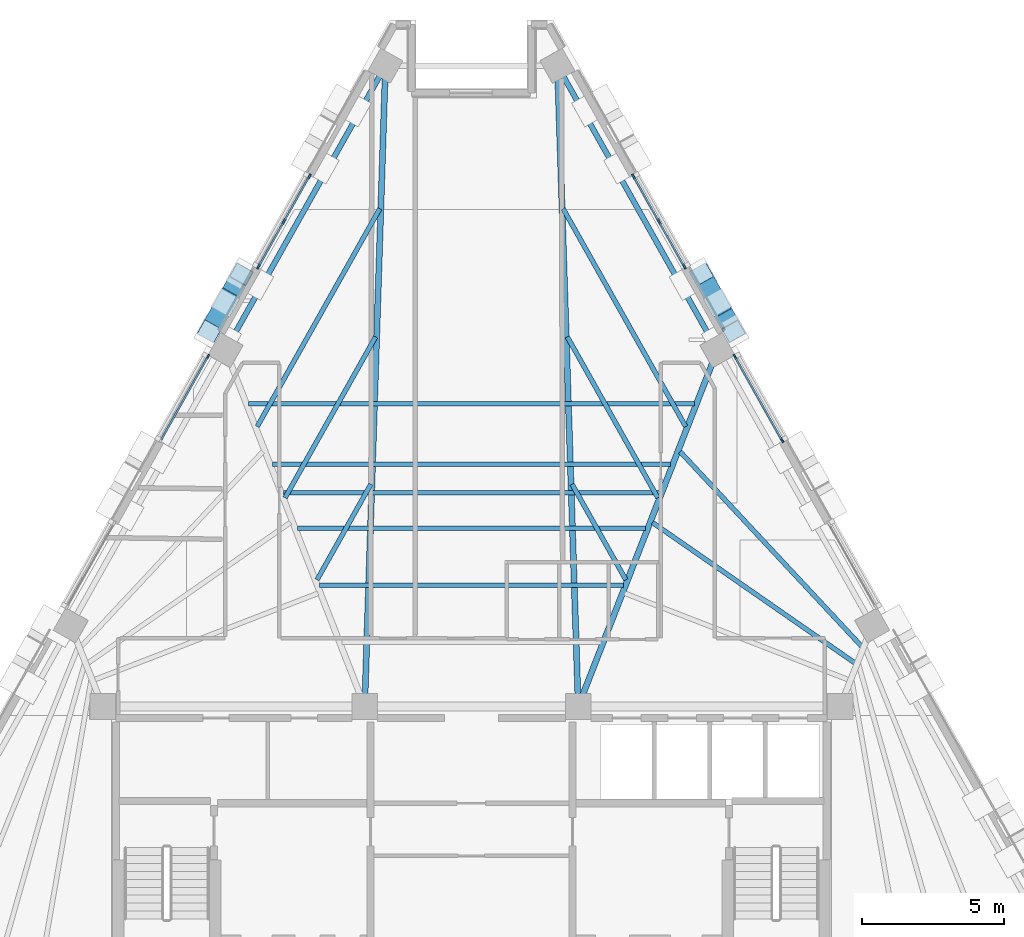
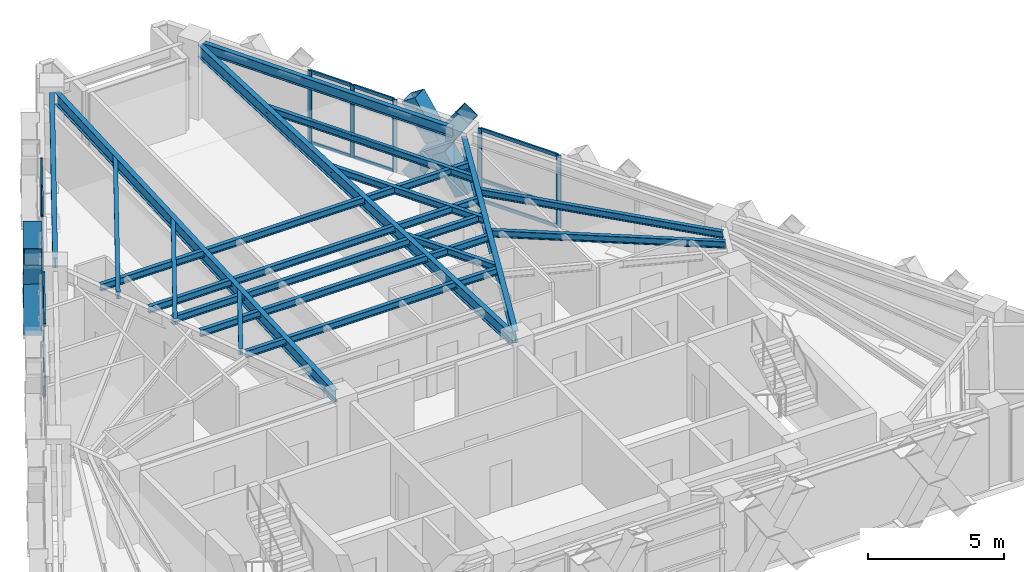
# One storey, part 4 of 12: 33 members, 18 beams, 4 elements without a shape of their own.
"""IFC4 building model written with IfcOpenShell, lengths in metres."""

from ifc_helpers import new_model, si_unit, direction, frame, origin, origin_2d, place, context, subcontext, project, spatial, rectangle, hollow_rectangle, i_section, extrude, material, material_profile, profile_set, type_object, element, aggregate, save


model = new_model("IFC4")

# Units and contexts
model_context = context("Model", 3, precision=1e-05, world=origin(), true_north=direction((0.0, 1.0)))
body_context = subcontext(model_context, "Body", "Model", "MODEL_VIEW")
ifc_project = project(units=[si_unit("LENGTHUNIT", "METRE"), si_unit("AREAUNIT", "SQUARE_METRE"), si_unit("VOLUMEUNIT", "CUBIC_METRE"), si_unit("PLANEANGLEUNIT", "RADIAN"), si_unit("MASSUNIT", "GRAM", prefix="KILO")], contexts=[model_context])

# Site, building, storey
site_placement = place(None, origin())
site = spatial("IfcSite", under=ifc_project, at=site_placement, CompositionType="ELEMENT")
building_placement = place(site_placement, origin())
building = spatial("IfcBuilding", under=site, at=building_placement, Name="Quenlor Broadcast Tower", CompositionType="ELEMENT")
storey_placement = place(building_placement, frame((0.0, 0.0, 204.39990234375)))
storey = spatial("IfcBuildingStorey", under=building, at=storey_placement, Name="L56", CompositionType="ELEMENT", Elevation=204.39990234375)

# Curtain wall, members
ifc_material_1 = material(Name="Architectural Terracotta and Low-E Glazing", Category="masonry")
curtain_wall_type = type_object("IfcCurtainWallType", Name="Unitised Terracotta Curtain Wall System Z4", PredefinedType="NOTDEFINED", material=ifc_material_1)
curtain_wall_1_placement = place(storey_placement, origin())
curtain_wall_1 = element("IfcCurtainWall", 1, at=curtain_wall_1_placement, inside=storey, type_object=curtain_wall_type, Name="L56 Curtain Wall CW4 (L56-NEA-G1)", PredefinedType="NOTDEFINED")
ifc_material_2 = material(Name="Aluminium 6063-T6", Category="aluminium")
ifc_material_profile_1 = material_profile(ifc_material_2, rectangle(XDim=0.068115234375, YDim=0.179931640625, at=origin_2d()))
ifc_profile_set_1 = profile_set([ifc_material_profile_1], Name="Aluminium 6063-T6 MULL68x180")
member_type_1 = type_object("IfcMemberType", Name="CW4 Aluminium Mullion MULL_CW4", PredefinedType="MULLION", material=ifc_profile_set_1)
member_1_placement = place(storey_placement, frame((5.693115234375, 13.820068359375, 0.0), z_axis=(0.0, 0.0, 1.0), x_axis=(0.871576257465, 0.490259959025, 0.0)))
member_1 = element("IfcMember", 2, at=member_1_placement, type_object=member_type_1, Name="CW4 mullion 1", PredefinedType="MULLION", context=body_context, shape_type="SweptSolid", body=[
    extrude(rectangle(XDim=0.068115234375, YDim=0.179931640625, at=origin_2d()), origin(), (0.0, 0.0, 1.0), 3.25),
])
member_2_placement = place(storey_placement, frame((6.585205078125, 12.23388671875, 0.0), z_axis=(0.0, 0.0, 1.0), x_axis=(0.871576257465, 0.490259959025, 0.0)))
member_2 = element("IfcMember", 3, at=member_2_placement, type_object=member_type_1, Name="CW4 mullion 2", PredefinedType="MULLION", context=body_context, shape_type="SweptSolid", body=[
    extrude(rectangle(XDim=0.068115234375, YDim=0.179931640625, at=origin_2d()), origin(), (0.0, 0.0, 1.0), 3.25),
])
member_3_placement = place(storey_placement, frame((7.477294921875, 10.64794921875, 0.0), z_axis=(0.0, 0.0, 1.0), x_axis=(0.871576257465, 0.490259959025, 0.0)))
member_3 = element("IfcMember", 4, at=member_3_placement, type_object=member_type_1, Name="CW4 mullion 3", PredefinedType="MULLION", context=body_context, shape_type="SweptSolid", body=[
    extrude(rectangle(XDim=0.068115234375, YDim=0.179931640625, at=origin_2d()), origin(), (0.0, 0.0, 1.0), 3.25),
])

curtain_wall_2_placement = place(storey_placement, origin())
curtain_wall_2 = element("IfcCurtainWall", 5, at=curtain_wall_2_placement, inside=storey, type_object=curtain_wall_type, Name="L56 Curtain Wall CW4 (L56-NE-G1)", PredefinedType="NOTDEFINED")
member_4_placement = place(storey_placement, frame((9.257080078125, 7.484130859375, 0.0), z_axis=(0.0, 0.0, 1.0), x_axis=(0.871577871382, 0.490257089819, 0.0)))
member_4 = element("IfcMember", 6, at=member_4_placement, type_object=member_type_1, Name="CW4 mullion 1", PredefinedType="MULLION", context=body_context, shape_type="SweptSolid", body=[
    extrude(rectangle(XDim=0.068115234375, YDim=0.179931640625, at=origin_2d()), origin(), (0.0, 0.0, 1.0), 3.25),
])
member_5_placement = place(storey_placement, frame((10.906494140625, 4.5517578125, 0.0), z_axis=(0.0, 0.0, 1.0), x_axis=(0.871577871382, 0.490257089819, 0.0)))
member_5 = element("IfcMember", 7, at=member_5_placement, type_object=member_type_1, Name="CW4 mullion 2", PredefinedType="MULLION", context=body_context, shape_type="SweptSolid", body=[
    extrude(rectangle(XDim=0.068115234375, YDim=0.179931640625, at=origin_2d()), origin(), (0.0, 0.0, 1.0), 3.25),
])

curtain_wall_3_placement = place(storey_placement, origin())
curtain_wall_3 = element("IfcCurtainWall", 8, at=curtain_wall_3_placement, inside=storey, type_object=curtain_wall_type, Name="L56 Curtain Wall CW4 (L56-NWC-G1)", PredefinedType="NOTDEFINED")
member_6_placement = place(storey_placement, frame((-7.477294921875, 10.64794921875, 0.0), z_axis=(0.0, 0.0, 1.0), x_axis=(-0.871576257465, 0.490259959025, 0.0)))
member_6 = element("IfcMember", 9, at=member_6_placement, type_object=member_type_1, Name="CW4 mullion 1", PredefinedType="MULLION", context=body_context, shape_type="SweptSolid", body=[
    extrude(rectangle(XDim=0.068115234375, YDim=0.179931640625, at=origin_2d()), origin(), (0.0, 0.0, 1.0), 3.25),
])
member_7_placement = place(storey_placement, frame((-6.585205078125, 12.23388671875, 0.0), z_axis=(0.0, 0.0, 1.0), x_axis=(-0.871576257465, 0.490259959025, 0.0)))
member_7 = element("IfcMember", 10, at=member_7_placement, type_object=member_type_1, Name="CW4 mullion 2", PredefinedType="MULLION", context=body_context, shape_type="SweptSolid", body=[
    extrude(rectangle(XDim=0.068115234375, YDim=0.179931640625, at=origin_2d()), origin(), (0.0, 0.0, 1.0), 3.25),
])
member_8_placement = place(storey_placement, frame((-5.693115234375, 13.820068359375, 0.0), z_axis=(0.0, 0.0, 1.0), x_axis=(-0.871576257465, 0.490259959025, 0.0)))
member_8 = element("IfcMember", 11, at=member_8_placement, type_object=member_type_1, Name="CW4 mullion 3", PredefinedType="MULLION", context=body_context, shape_type="SweptSolid", body=[
    extrude(rectangle(XDim=0.068115234375, YDim=0.179931640625, at=origin_2d()), origin(), (0.0, 0.0, 1.0), 3.25),
])

# Curtain wall, member
curtain_wall_4_placement = place(storey_placement, origin())
curtain_wall_4 = element("IfcCurtainWall", 12, at=curtain_wall_4_placement, inside=storey, type_object=curtain_wall_type, Name="L56 Curtain Wall CW4 (L56-NW-G2)", PredefinedType="NOTDEFINED")
member_9_placement = place(storey_placement, frame((-9.257080078125, 7.484130859375, 0.0), z_axis=(0.0, 0.0, 1.0), x_axis=(-0.871577871382, 0.490257089819, 0.0)))
member_9 = element("IfcMember", 13, at=member_9_placement, type_object=member_type_1, Name="CW4 mullion 2", PredefinedType="MULLION", context=body_context, shape_type="SweptSolid", body=[
    extrude(rectangle(XDim=0.068115234375, YDim=0.179931640625, at=origin_2d()), origin(), (0.0, 0.0, 1.0), 3.25),
])

# Member
ifc_material_3 = material(Name="Aluminium 6063-T6", Category="aluminium")
ifc_material_profile_2 = material_profile(ifc_material_3, rectangle(XDim=0.068115234375, YDim=0.14990234375, at=origin_2d()))
ifc_profile_set_2 = profile_set([ifc_material_profile_2], Name="Aluminium 6063-T6 TRAN68x150")
member_type_2 = type_object("IfcMemberType", Name="CW4 Aluminium Transom TRAN_CW4", PredefinedType="USERDEFINED", material=ifc_profile_set_2)
member_10_placement = place(storey_placement, frame((5.709716796875, 13.790283203125, 0.0341796875), z_axis=(0.490334029137, -0.871534589027, 0.0), x_axis=(0.871534589027, 0.490334029137, 0.0)))
member_10 = element("IfcMember", 14, at=member_10_placement, type_object=member_type_2, Name="CW4 transom 1.1", ObjectType="TRANSOM", PredefinedType="USERDEFINED", context=body_context, shape_type="SweptSolid", body=[
    extrude(rectangle(XDim=0.068115234375, YDim=0.14990234375, at=origin_2d()), origin(), (0.0, 0.0, 1.0), 1.751708984375),
])

member_11_placement = place(storey_placement, frame((5.709716796875, 13.790283203125, 0.9501953125), z_axis=(0.490334029137, -0.871534589027, 0.0), x_axis=(0.871534589027, 0.490334029137, 0.0)))
member_11 = element("IfcMember", 15, at=member_11_placement, type_object=member_type_2, Name="CW4 transom 1.2", ObjectType="TRANSOM", PredefinedType="USERDEFINED", context=body_context, shape_type="SweptSolid", body=[
    extrude(rectangle(XDim=0.068115234375, YDim=0.14990234375, at=origin_2d()), origin(), (0.0, 0.0, 1.0), 1.751708984375),
])

member_12_placement = place(storey_placement, frame((5.709716796875, 13.790283203125, 3.216064453125), z_axis=(0.490334029137, -0.871534589027, 0.0), x_axis=(0.871534589027, 0.490334029137, 0.0)))
member_12 = element("IfcMember", 16, at=member_12_placement, type_object=member_type_2, Name="CW4 transom 1.3", ObjectType="TRANSOM", PredefinedType="USERDEFINED", context=body_context, shape_type="SweptSolid", body=[
    extrude(rectangle(XDim=0.068115234375, YDim=0.14990234375, at=origin_2d()), origin(), (0.0, 0.0, 1.0), 1.751708984375),
])

member_13_placement = place(storey_placement, frame((6.601806640625, 12.204345703125, 0.0341796875), z_axis=(0.490274472735, -0.871568093372, 0.0), x_axis=(0.871568093372, 0.490274472735, 0.0)))
member_13 = element("IfcMember", 17, at=member_13_placement, type_object=member_type_2, Name="CW4 transom 2.1", ObjectType="TRANSOM", PredefinedType="USERDEFINED", context=body_context, shape_type="SweptSolid", body=[
    extrude(rectangle(XDim=0.068115234375, YDim=0.14990234375, at=origin_2d()), origin(), (0.0, 0.0, 1.0), 1.751953125),
])

member_14_placement = place(storey_placement, frame((6.601806640625, 12.204345703125, 0.9501953125), z_axis=(0.490274472735, -0.871568093372, 0.0), x_axis=(0.871568093372, 0.490274472735, 0.0)))
member_14 = element("IfcMember", 18, at=member_14_placement, type_object=member_type_2, Name="CW4 transom 2.2", ObjectType="TRANSOM", PredefinedType="USERDEFINED", context=body_context, shape_type="SweptSolid", body=[
    extrude(rectangle(XDim=0.068115234375, YDim=0.14990234375, at=origin_2d()), origin(), (0.0, 0.0, 1.0), 1.751953125),
])

member_15_placement = place(storey_placement, frame((6.601806640625, 12.204345703125, 3.216064453125), z_axis=(0.490274472735, -0.871568093372, 0.0), x_axis=(0.871568093372, 0.490274472735, 0.0)))
member_15 = element("IfcMember", 19, at=member_15_placement, type_object=member_type_2, Name="CW4 transom 2.3", ObjectType="TRANSOM", PredefinedType="USERDEFINED", context=body_context, shape_type="SweptSolid", body=[
    extrude(rectangle(XDim=0.068115234375, YDim=0.14990234375, at=origin_2d()), origin(), (0.0, 0.0, 1.0), 1.751953125),
])

aggregate(curtain_wall_1, [member_1, member_2, member_3, member_10, member_11, member_12, member_13, member_14, member_15])

member_16_placement = place(storey_placement, frame((9.273681640625, 7.454345703125, 0.0341796875), z_axis=(0.490264756272, -0.871573559005, 0.0), x_axis=(0.871573559005, 0.490264756272, 0.0)))
member_16 = element("IfcMember", 20, at=member_16_placement, type_object=member_type_2, Name="CW4 transom 1.1", ObjectType="TRANSOM", PredefinedType="USERDEFINED", context=body_context, shape_type="SweptSolid", body=[
    extrude(rectangle(XDim=0.068115234375, YDim=0.14990234375, at=origin_2d()), origin(), (0.0, 0.0, 1.0), 3.296142578125),
])

member_17_placement = place(storey_placement, frame((9.273681640625, 7.454345703125, 0.9501953125), z_axis=(0.490264756272, -0.871573559005, 0.0), x_axis=(0.871573559005, 0.490264756272, 0.0)))
member_17 = element("IfcMember", 21, at=member_17_placement, type_object=member_type_2, Name="CW4 transom 1.2", ObjectType="TRANSOM", PredefinedType="USERDEFINED", context=body_context, shape_type="SweptSolid", body=[
    extrude(rectangle(XDim=0.068115234375, YDim=0.14990234375, at=origin_2d()), origin(), (0.0, 0.0, 1.0), 3.296142578125),
])

member_18_placement = place(storey_placement, frame((9.273681640625, 7.454345703125, 3.216064453125), z_axis=(0.490264756272, -0.871573559005, 0.0), x_axis=(0.871573559005, 0.490264756272, 0.0)))
member_18 = element("IfcMember", 22, at=member_18_placement, type_object=member_type_2, Name="CW4 transom 1.3", ObjectType="TRANSOM", PredefinedType="USERDEFINED", context=body_context, shape_type="SweptSolid", body=[
    extrude(rectangle(XDim=0.068115234375, YDim=0.14990234375, at=origin_2d()), origin(), (0.0, 0.0, 1.0), 3.296142578125),
])

aggregate(curtain_wall_2, [member_4, member_5, member_16, member_17, member_18])

member_19_placement = place(storey_placement, frame((-7.460693359375, 10.677490234375, 0.0341796875), z_axis=(0.490274472735, 0.871568093372, 0.0), x_axis=(-0.871568093372, 0.490274472735, 0.0)))
member_19 = element("IfcMember", 23, at=member_19_placement, type_object=member_type_2, Name="CW4 transom 1.1", ObjectType="TRANSOM", PredefinedType="USERDEFINED", context=body_context, shape_type="SweptSolid", body=[
    extrude(rectangle(XDim=0.068115234375, YDim=0.14990234375, at=origin_2d()), origin(), (0.0, 0.0, 1.0), 1.751953125),
])

member_20_placement = place(storey_placement, frame((-7.460693359375, 10.677490234375, 0.9501953125), z_axis=(0.490274472735, 0.871568093372, 0.0), x_axis=(-0.871568093372, 0.490274472735, 0.0)))
member_20 = element("IfcMember", 24, at=member_20_placement, type_object=member_type_2, Name="CW4 transom 1.2", ObjectType="TRANSOM", PredefinedType="USERDEFINED", context=body_context, shape_type="SweptSolid", body=[
    extrude(rectangle(XDim=0.068115234375, YDim=0.14990234375, at=origin_2d()), origin(), (0.0, 0.0, 1.0), 1.751953125),
])

member_21_placement = place(storey_placement, frame((-7.460693359375, 10.677490234375, 3.216064453125), z_axis=(0.490274472735, 0.871568093372, 0.0), x_axis=(-0.871568093372, 0.490274472735, 0.0)))
member_21 = element("IfcMember", 25, at=member_21_placement, type_object=member_type_2, Name="CW4 transom 1.3", ObjectType="TRANSOM", PredefinedType="USERDEFINED", context=body_context, shape_type="SweptSolid", body=[
    extrude(rectangle(XDim=0.068115234375, YDim=0.14990234375, at=origin_2d()), origin(), (0.0, 0.0, 1.0), 1.751953125),
])

member_22_placement = place(storey_placement, frame((-6.568603515625, 12.263671875, 0.0341796875), z_axis=(0.490334029137, 0.871534589027, 0.0), x_axis=(-0.871534589027, 0.490334029137, 0.0)))
member_22 = element("IfcMember", 26, at=member_22_placement, type_object=member_type_2, Name="CW4 transom 2.1", ObjectType="TRANSOM", PredefinedType="USERDEFINED", context=body_context, shape_type="SweptSolid", body=[
    extrude(rectangle(XDim=0.068115234375, YDim=0.14990234375, at=origin_2d()), origin(), (0.0, 0.0, 1.0), 1.751708984375),
])

member_23_placement = place(storey_placement, frame((-6.568603515625, 12.263671875, 0.9501953125), z_axis=(0.490334029137, 0.871534589027, 0.0), x_axis=(-0.871534589027, 0.490334029137, 0.0)))
member_23 = element("IfcMember", 27, at=member_23_placement, type_object=member_type_2, Name="CW4 transom 2.2", ObjectType="TRANSOM", PredefinedType="USERDEFINED", context=body_context, shape_type="SweptSolid", body=[
    extrude(rectangle(XDim=0.068115234375, YDim=0.14990234375, at=origin_2d()), origin(), (0.0, 0.0, 1.0), 1.751708984375),
])

member_24_placement = place(storey_placement, frame((-6.568603515625, 12.263671875, 3.216064453125), z_axis=(0.490334029137, 0.871534589027, 0.0), x_axis=(-0.871534589027, 0.490334029137, 0.0)))
member_24 = element("IfcMember", 28, at=member_24_placement, type_object=member_type_2, Name="CW4 transom 2.3", ObjectType="TRANSOM", PredefinedType="USERDEFINED", context=body_context, shape_type="SweptSolid", body=[
    extrude(rectangle(XDim=0.068115234375, YDim=0.14990234375, at=origin_2d()), origin(), (0.0, 0.0, 1.0), 1.751708984375),
])

aggregate(curtain_wall_3, [member_6, member_7, member_8, member_19, member_20, member_21, member_22, member_23, member_24])

member_25_placement = place(storey_placement, frame((-10.8896484375, 4.58154296875, 0.0341796875), z_axis=(0.490264756272, 0.871573559005, 0.0), x_axis=(-0.871573559005, 0.490264756272, 0.0)))
member_25 = element("IfcMember", 29, at=member_25_placement, type_object=member_type_2, Name="CW4 transom 1.1", ObjectType="TRANSOM", PredefinedType="USERDEFINED", context=body_context, shape_type="SweptSolid", body=[
    extrude(rectangle(XDim=0.068115234375, YDim=0.14990234375, at=origin_2d()), origin(), (0.0, 0.0, 1.0), 3.296142578125),
])

member_26_placement = place(storey_placement, frame((-10.8896484375, 4.58154296875, 0.9501953125), z_axis=(0.490264756272, 0.871573559005, 0.0), x_axis=(-0.871573559005, 0.490264756272, 0.0)))
member_26 = element("IfcMember", 30, at=member_26_placement, type_object=member_type_2, Name="CW4 transom 1.2", ObjectType="TRANSOM", PredefinedType="USERDEFINED", context=body_context, shape_type="SweptSolid", body=[
    extrude(rectangle(XDim=0.068115234375, YDim=0.14990234375, at=origin_2d()), origin(), (0.0, 0.0, 1.0), 3.296142578125),
])

member_27_placement = place(storey_placement, frame((-10.8896484375, 4.58154296875, 3.216064453125), z_axis=(0.490264756272, 0.871573559005, 0.0), x_axis=(-0.871573559005, 0.490264756272, 0.0)))
member_27 = element("IfcMember", 31, at=member_27_placement, type_object=member_type_2, Name="CW4 transom 1.3", ObjectType="TRANSOM", PredefinedType="USERDEFINED", context=body_context, shape_type="SweptSolid", body=[
    extrude(rectangle(XDim=0.068115234375, YDim=0.14990234375, at=origin_2d()), origin(), (0.0, 0.0, 1.0), 3.296142578125),
])

aggregate(curtain_wall_4, [member_9, member_25, member_26, member_27])

# Members
ifc_material_4 = material(Name="Steel S355", Category="steel")
ifc_material_profile_3 = material_profile(ifc_material_4, hollow_rectangle(XDim=0.679931640625, YDim=0.679931640625, WallThickness=0.02490234375, at=origin_2d()))
ifc_profile_set_3 = profile_set([ifc_material_profile_3], Name="Steel S355 RHS680x680x25")
member_type_3 = type_object("IfcMemberType", Name="Perimeter Diagonal Lattice Brace Z3-Z4 Steel S355 RHS680x25", PredefinedType="BRACE", material=ifc_profile_set_3)
member_28_placement = place(storey_placement, frame((8.079345703125, 10.38330078125, -0.119873046875), z_axis=(0.269547055694, -0.479136497832, 0.835327840559), x_axis=(0.871550060774, 0.49030652817, 0.0)))
element("IfcMember", 32, at=member_28_placement, inside=storey, type_object=member_type_3, Name="L56 Perimeter Diamond Lattice NE-C2XA", PredefinedType="BRACE", context=body_context, shape_type="SweptSolid", body=[
    extrude(hollow_rectangle(XDim=0.679931640625, YDim=0.679931640625, WallThickness=0.02490234375, at=origin_2d()), origin(), (0.0, 0.0, 1.0), 4.18994140625),
])
for number, where, z_axis, x_axis, name in (
    (33, (9.208740234375, 8.375732421875, -0.119873046875), (-0.269535527865, 0.479130165145, 0.835335192642), (-0.871556252289, -0.490295522207, 0.0), "L56 Perimeter Diamond Lattice NE-C2XB1"),
    (34, (8.57666015625, 9.499267578125, 1.8388671875), (-0.269535527865, 0.479130165145, 0.835335192642), (-0.871556252289, -0.490295522207, 0.0), "L56 Perimeter Diamond Lattice NE-C2XB2"),
):
    element("IfcMember", number, at=place(storey_placement, frame(where, z_axis=z_axis, x_axis=x_axis)), inside=storey, type_object=member_type_3, Name=name, PredefinedType="BRACE", context=body_context, shape_type="SweptSolid", body=[
        extrude(hollow_rectangle(XDim=0.679931640625, YDim=0.679931640625, WallThickness=0.02490234375, at=origin_2d()), origin(), (0.0, 0.0, 1.0), 1.844970703125),
    ])
member_29_placement = place(storey_placement, frame((-9.208740234375, 8.375732421875, -0.119873046875), z_axis=(0.269547055694, 0.479136497832, 0.835327840559), x_axis=(-0.871550060774, 0.49030652817, 0.0)))
element("IfcMember", 35, at=member_29_placement, inside=storey, type_object=member_type_3, Name="L56 Perimeter Diamond Lattice NW-C4XA", PredefinedType="BRACE", context=body_context, shape_type="SweptSolid", body=[
    extrude(hollow_rectangle(XDim=0.679931640625, YDim=0.679931640625, WallThickness=0.02490234375, at=origin_2d()), origin(), (0.0, 0.0, 1.0), 4.18994140625),
])
for number, where, z_axis, x_axis, name in (
    (36, (-8.079345703125, 10.38330078125, -0.119873046875), (-0.269535527865, -0.479130165145, 0.835335192642), (0.871556252289, -0.490295522207, 0.0), "L56 Perimeter Diamond Lattice NW-C4XB1"),
    (37, (-8.71142578125, 9.259765625, 1.8388671875), (-0.269535527865, -0.479130165145, 0.835335192642), (0.871556252289, -0.490295522207, 0.0), "L56 Perimeter Diamond Lattice NW-C4XB2"),
):
    element("IfcMember", number, at=place(storey_placement, frame(where, z_axis=z_axis, x_axis=x_axis)), inside=storey, type_object=member_type_3, Name=name, PredefinedType="BRACE", context=body_context, shape_type="SweptSolid", body=[
        extrude(hollow_rectangle(XDim=0.679931640625, YDim=0.679931640625, WallThickness=0.02490234375, at=origin_2d()), origin(), (0.0, 0.0, 1.0), 1.844970703125),
    ])

# Beams
ifc_material_5 = material(Name="Steel S355", Category="steel")
ifc_material_profile_4 = material_profile(ifc_material_5, i_section(OverallWidth=0.18994140625, OverallDepth=0.453857421875, WebThickness=0.008544921875, FlangeThickness=0.0126953125, FilletRadius=0.011474609375, at=origin_2d()))
ifc_profile_set_4 = profile_set([ifc_material_profile_4], Name="Steel S355 460UB67.1")
beam_type_1 = type_object("IfcBeamType", Name="Perimeter Spandrel Beam Z4 Steel S355 460UB67.1", PredefinedType="SPANDREL", material=ifc_profile_set_4)
for number, where, z_axis, x_axis, name in (
    (38, (8.438720703125, 8.072265625, 3.023193359375), (-0.490281935429, 0.871563895415, 0.0), (-0.871563895415, -0.490281935429, 0.0), "L56 Spandrel Beam NE3-NE4"),
    (39, (-3.221435546875, 17.346923828125, 3.023193359375), (-0.490281935429, -0.871563895415, 0.0), (0.871563895415, -0.490281935429, 0.0), "L56 Spandrel Beam NW1-NW2"),
):
    element("IfcBeam", number, at=place(storey_placement, frame(where, z_axis=z_axis, x_axis=x_axis)), inside=storey, type_object=beam_type_1, Name=name, PredefinedType="SPANDREL", context=body_context, shape_type="SweptSolid", body=[
        extrude(i_section(OverallWidth=0.18994140625, OverallDepth=0.453857421875, WebThickness=0.008544921875, FlangeThickness=0.0126953125, FilletRadius=0.011474609375, at=origin_2d()), origin(), (0.0, 0.0, 1.0), 10.641357421875),
    ])
ifc_material_6 = material(Name="Steel S355", Category="steel")
ifc_material_profile_5 = material_profile(ifc_material_6, i_section(OverallWidth=0.166015625, OverallDepth=0.30712890625, WebThickness=0.006591796875, FlangeThickness=0.01171875, FilletRadius=0.011474609375, at=origin_2d()))
ifc_profile_set_5 = profile_set([ifc_material_profile_5], Name="Steel S355 310UB46.2")
beam_type_2 = type_object("IfcBeamType", Name="Tower Composite Joist Z4-Z5 Steel S355 310UB46.2", PredefinedType="JOIST", material=ifc_profile_set_5)
beam_1_placement = place(storey_placement, frame((-6.603759765625, 2.708984375, 3.096435546875), z_axis=(1.0, 0.0, 0.0), x_axis=(0.0, 1.0, 0.0)))
element("IfcBeam", 40, at=beam_1_placement, inside=storey, type_object=beam_type_2, Name="L56 Secondary Composite Joist 2", PredefinedType="JOIST", context=body_context, shape_type="SweptSolid", body=[
    extrude(i_section(OverallWidth=0.166015625, OverallDepth=0.30712890625, WebThickness=0.006591796875, FlangeThickness=0.01171875, FilletRadius=0.011474609375, at=origin_2d()), origin(), (0.0, 0.0, 1.0), 13.20751953125),
])
beam_2_placement = place(storey_placement, frame((-5.33251953125, -0.544921875, 3.096435546875), z_axis=(1.0, 0.0, 0.0), x_axis=(0.0, 1.0, 0.0)))
element("IfcBeam", 41, at=beam_2_placement, inside=storey, type_object=beam_type_2, Name="L56 Secondary Composite Joist 3", PredefinedType="JOIST", context=body_context, shape_type="SweptSolid", body=[
    extrude(i_section(OverallWidth=0.166015625, OverallDepth=0.30712890625, WebThickness=0.006591796875, FlangeThickness=0.01171875, FilletRadius=0.011474609375, at=origin_2d()), origin(), (0.0, 0.0, 1.0), 10.6650390625),
])
beam_3_placement = place(storey_placement, frame((-6.11474609375, 1.45751953125, 3.096435546875), z_axis=(1.0, 0.0, 0.0), x_axis=(0.0, 1.0, 0.0)))
element("IfcBeam", 42, at=beam_3_placement, inside=storey, type_object=beam_type_2, Name="L56 Secondary Composite Joist 4", PredefinedType="JOIST", context=body_context, shape_type="SweptSolid", body=[
    extrude(i_section(OverallWidth=0.166015625, OverallDepth=0.30712890625, WebThickness=0.006591796875, FlangeThickness=0.01171875, FilletRadius=0.011474609375, at=origin_2d()), origin(), (0.0, 0.0, 1.0), 12.2294921875),
])
beam_4_placement = place(storey_placement, frame((-6.994873046875, 3.710205078125, 3.096435546875), z_axis=(1.0, 0.0, 0.0), x_axis=(0.0, 1.0, 0.0)))
element("IfcBeam", 43, at=beam_4_placement, inside=storey, type_object=beam_type_2, Name="L56 Secondary Composite Joist 5", PredefinedType="JOIST", context=body_context, shape_type="SweptSolid", body=[
    extrude(i_section(OverallWidth=0.166015625, OverallDepth=0.30712890625, WebThickness=0.006591796875, FlangeThickness=0.01171875, FilletRadius=0.011474609375, at=origin_2d()), origin(), (0.0, 0.0, 1.0), 13.98974609375),
])
beam_5_placement = place(storey_placement, frame((-7.826171875, 5.837646484375, 3.096435546875), z_axis=(1.0, 0.0, 0.0), x_axis=(0.0, 1.0, 0.0)))
element("IfcBeam", 44, at=beam_5_placement, inside=storey, type_object=beam_type_2, Name="L56 Secondary Composite Joist 6", PredefinedType="JOIST", context=body_context, shape_type="SweptSolid", body=[
    extrude(i_section(OverallWidth=0.166015625, OverallDepth=0.30712890625, WebThickness=0.006591796875, FlangeThickness=0.01171875, FilletRadius=0.011474609375, at=origin_2d()), origin(), (0.0, 0.0, 1.0), 15.65234375),
])
beam_6_placement = place(storey_placement, frame((13.470458984375, -3.273681640625, 3.096435546875), z_axis=(-0.821539857981, 0.570151086773, 0.0), x_axis=(-0.570151086773, -0.821539857981, 0.0)))
element("IfcBeam", 45, at=beam_6_placement, inside=storey, type_object=beam_type_2, Name="L56 Secondary Composite Joist 11", PredefinedType="JOIST", context=body_context, shape_type="SweptSolid", body=[
    extrude(i_section(OverallWidth=0.166015625, OverallDepth=0.30712890625, WebThickness=0.006591796875, FlangeThickness=0.01171875, FilletRadius=0.011474609375, at=origin_2d()), origin(), (0.0, 0.0, 1.0), 8.656982421875),
])
beam_7_placement = place(storey_placement, frame((13.707275390625, -2.691162109375, 3.096435546875), z_axis=(-0.682034672805, 0.731319837754, 0.0), x_axis=(-0.731319837754, -0.682034672805, 0.0)))
element("IfcBeam", 46, at=beam_7_placement, inside=storey, type_object=beam_type_2, Name="L56 Secondary Composite Joist 12", PredefinedType="JOIST", context=body_context, shape_type="SweptSolid", body=[
    extrude(i_section(OverallWidth=0.166015625, OverallDepth=0.30712890625, WebThickness=0.006591796875, FlangeThickness=0.01171875, FilletRadius=0.011474609375, at=origin_2d()), origin(), (0.0, 0.0, 1.0), 9.357421875),
])
beam_8_placement = place(storey_placement, frame((-3.533935546875, 3.0068359375, 3.096435546875), z_axis=(-0.490243182397, -0.871585694073, 0.0), x_axis=(0.871585694073, -0.490243182397, 0.0)))
element("IfcBeam", 47, at=beam_8_placement, inside=storey, type_object=beam_type_2, Name="L56 Secondary Composite Joist 25", PredefinedType="JOIST", context=body_context, shape_type="SweptSolid", body=[
    extrude(i_section(OverallWidth=0.166015625, OverallDepth=0.30712890625, WebThickness=0.006591796875, FlangeThickness=0.01171875, FilletRadius=0.011474609375, at=origin_2d()), origin(), (0.0, 0.0, 1.0), 3.8515625),
])
beam_9_placement = place(storey_placement, frame((-3.3662109375, 8.182861328125, 3.096435546875), z_axis=(-0.490230865807, -0.871592621705, 0.0), x_axis=(0.871592621705, -0.490230865807, 0.0)))
element("IfcBeam", 48, at=beam_9_placement, inside=storey, type_object=beam_type_2, Name="L56 Secondary Composite Joist 26", PredefinedType="JOIST", context=body_context, shape_type="SweptSolid", body=[
    extrude(i_section(OverallWidth=0.166015625, OverallDepth=0.30712890625, WebThickness=0.006591796875, FlangeThickness=0.01171875, FilletRadius=0.011474609375, at=origin_2d()), origin(), (0.0, 0.0, 1.0), 6.487548828125),
])
beam_10_placement = place(storey_placement, frame((-3.22021484375, 12.68359375, 3.096435546875), z_axis=(-0.490261239633, -0.871575537125, 0.0), x_axis=(0.871575537125, -0.490261239633, 0.0)))
element("IfcBeam", 49, at=beam_10_placement, inside=storey, type_object=beam_type_2, Name="L56 Secondary Composite Joist 27", PredefinedType="JOIST", context=body_context, shape_type="SweptSolid", body=[
    extrude(i_section(OverallWidth=0.166015625, OverallDepth=0.30712890625, WebThickness=0.006591796875, FlangeThickness=0.01171875, FilletRadius=0.011474609375, at=origin_2d()), origin(), (0.0, 0.0, 1.0), 8.77978515625),
])
beam_11_placement = place(storey_placement, frame((3.533935546875, 3.0068359375, 3.096435546875), z_axis=(0.490243182397, -0.871585694073, 0.0), x_axis=(0.871585694073, 0.490243182397, 0.0)))
element("IfcBeam", 50, at=beam_11_placement, inside=storey, type_object=beam_type_2, Name="L56 Secondary Composite Joist 28", PredefinedType="JOIST", context=body_context, shape_type="SweptSolid", body=[
    extrude(i_section(OverallWidth=0.166015625, OverallDepth=0.30712890625, WebThickness=0.006591796875, FlangeThickness=0.01171875, FilletRadius=0.011474609375, at=origin_2d()), origin(), (0.0, 0.0, 1.0), 3.8515625),
])
beam_12_placement = place(storey_placement, frame((3.3662109375, 8.182861328125, 3.096435546875), z_axis=(0.490230865807, -0.871592621705, 0.0), x_axis=(0.871592621705, 0.490230865807, 0.0)))
element("IfcBeam", 51, at=beam_12_placement, inside=storey, type_object=beam_type_2, Name="L56 Secondary Composite Joist 29", PredefinedType="JOIST", context=body_context, shape_type="SweptSolid", body=[
    extrude(i_section(OverallWidth=0.166015625, OverallDepth=0.30712890625, WebThickness=0.006591796875, FlangeThickness=0.01171875, FilletRadius=0.011474609375, at=origin_2d()), origin(), (0.0, 0.0, 1.0), 6.487548828125),
])
beam_13_placement = place(storey_placement, frame((3.22021484375, 12.68359375, 3.096435546875), z_axis=(0.490261239633, -0.871575537125, 0.0), x_axis=(0.871575537125, 0.490261239633, 0.0)))
element("IfcBeam", 52, at=beam_13_placement, inside=storey, type_object=beam_type_2, Name="L56 Secondary Composite Joist 30", PredefinedType="JOIST", context=body_context, shape_type="SweptSolid", body=[
    extrude(i_section(OverallWidth=0.166015625, OverallDepth=0.30712890625, WebThickness=0.006591796875, FlangeThickness=0.01171875, FilletRadius=0.011474609375, at=origin_2d()), origin(), (0.0, 0.0, 1.0), 8.77978515625),
])
ifc_material_7 = material(Name="Steel S355", Category="steel")
ifc_material_profile_6 = material_profile(ifc_material_7, i_section(OverallWidth=0.208984375, OverallDepth=0.5283203125, WebThickness=0.009521484375, FlangeThickness=0.01318359375, FilletRadius=0.013916015625, at=origin_2d()))
ifc_profile_set_6 = profile_set([ifc_material_profile_6], Name="Steel S355 530UB82.0")
beam_type_3 = type_object("IfcBeamType", Name="Tower Primary Floor Beam Z4 Steel S355 530UB82.0", PredefinedType="BEAM", material=ifc_profile_set_6)
beam_14_placement = place(storey_placement, frame((8.490478515625, 7.3330078125, 2.986083984375), z_axis=(-0.363926160921, -0.931427801495, 0.0), x_axis=(0.931427801495, -0.363926160921, 0.0)))
element("IfcBeam", 53, at=beam_14_placement, inside=storey, type_object=beam_type_3, Name="L56 Primary Radial Beam NE3", PredefinedType="BEAM", context=body_context, shape_type="SweptSolid", body=[
    extrude(i_section(OverallWidth=0.208984375, OverallDepth=0.5283203125, WebThickness=0.009521484375, FlangeThickness=0.01318359375, FilletRadius=0.013916015625, at=origin_2d()), origin(), (0.0, 0.0, 1.0), 12.646240234375),
])
for number, where, z_axis, x_axis, name in (
    (54, (3.03369140625, 17.29443359375, 2.986083984375), (0.032408228632, -0.999474715397, 0.0), (0.999474715397, 0.032408228632, 0.0), "L56 Primary Radial Beam NE4"),
    (55, (-3.03369140625, 17.29443359375, 2.986083984375), (-0.032408228632, -0.999474715397, 0.0), (0.999474715397, -0.032408228632, 0.0), "L56 Primary Radial Beam NW1"),
):
    element("IfcBeam", number, at=place(storey_placement, frame(where, z_axis=z_axis, x_axis=x_axis)), inside=storey, type_object=beam_type_3, Name=name, PredefinedType="BEAM", context=body_context, shape_type="SweptSolid", body=[
        extrude(i_section(OverallWidth=0.208984375, OverallDepth=0.5283203125, WebThickness=0.009521484375, FlangeThickness=0.01318359375, FilletRadius=0.013916015625, at=origin_2d()), origin(), (0.0, 0.0, 1.0), 21.72607421875),
    ])

save(model, "model.ifc")
